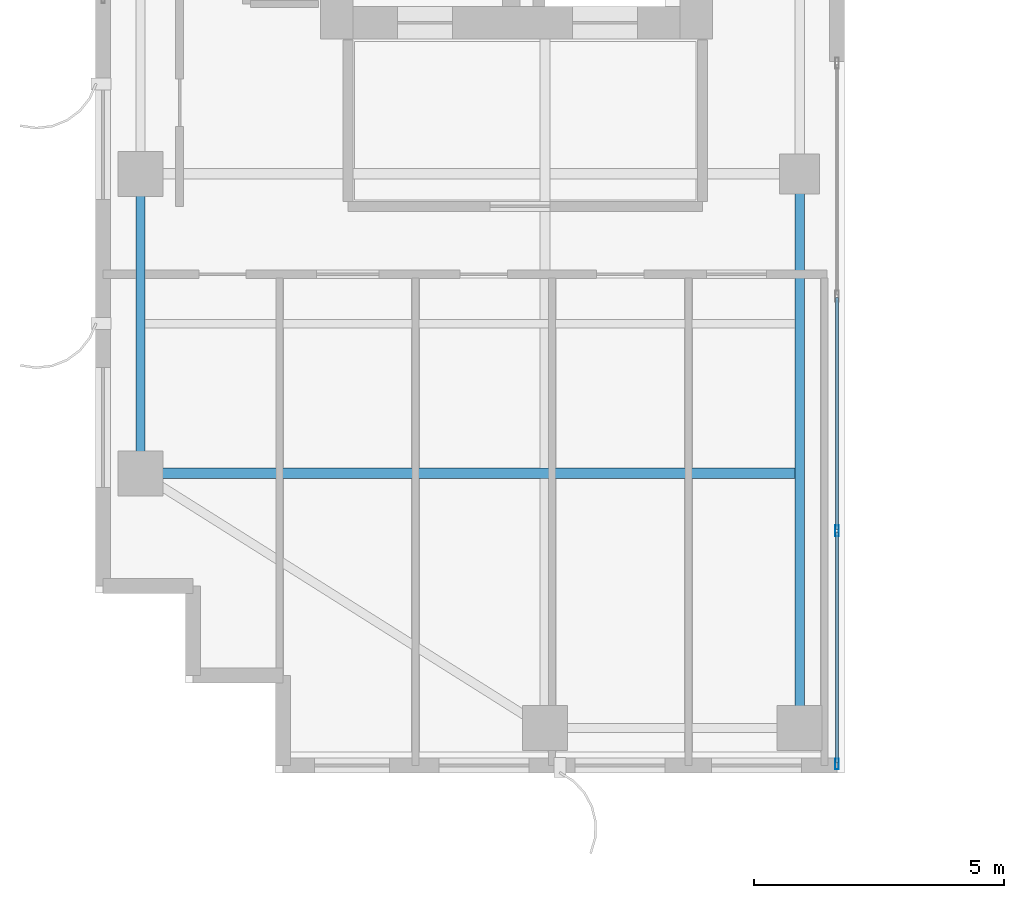
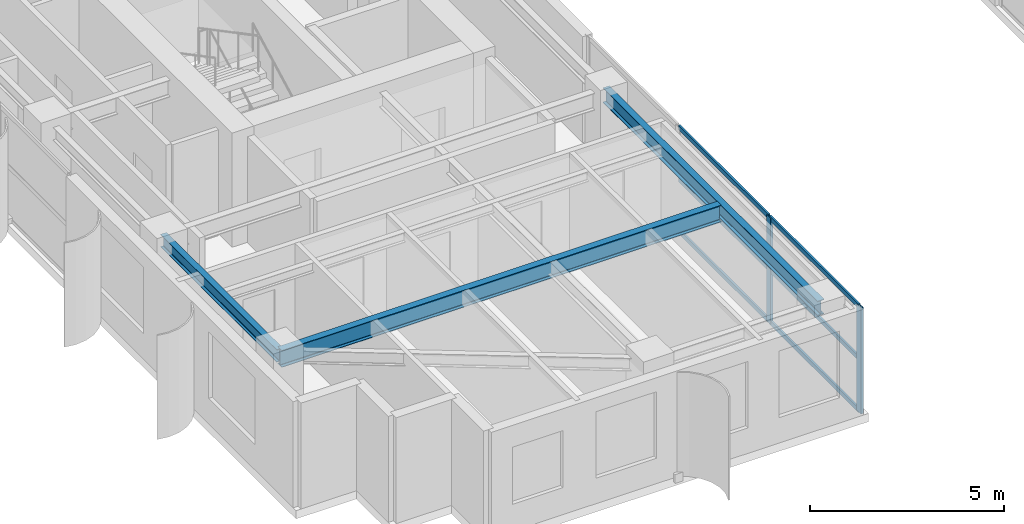
# One storey, part 2 of 22: 8 members, 3 beams, 1 element without a shape of its own.
"""IFC4 building model written with IfcOpenShell, lengths in metres."""

from ifc_helpers import new_model, si_unit, direction, frame, origin, origin_2d, place, context, subcontext, project, spatial, hollow_rectangle, i_section, extrude, source, transform, mapped, material, layer, layer_set, material_profile, profile_set, type_object, element, aggregate, save


model = new_model("IFC4")

# Units and contexts
model_context = context("Model", 3, precision=1e-05, world=origin(), true_north=direction((0.0, 1.0)))
body_context = subcontext(model_context, "Body", "Model", "MODEL_VIEW")
ifc_project = project(units=[si_unit("LENGTHUNIT", "METRE"), si_unit("AREAUNIT", "SQUARE_METRE"), si_unit("VOLUMEUNIT", "CUBIC_METRE"), si_unit("PLANEANGLEUNIT", "RADIAN"), si_unit("MASSUNIT", "GRAM", prefix="KILO")], contexts=[model_context])

# Site, building, storey
site_placement = place(None, origin())
site = spatial("IfcSite", under=ifc_project, at=site_placement, CompositionType="ELEMENT")
building_placement = place(site_placement, origin())
building = spatial("IfcBuilding", under=site, at=building_placement, Name="Khoralis Quay Care Tower", CompositionType="ELEMENT")
storey_placement = place(building_placement, frame((0.0, 0.0, 188.10009765625)))
storey = spatial("IfcBuildingStorey", under=building, at=storey_placement, Name="L49", CompositionType="ELEMENT", Elevation=188.10009765625)

# Beams
ifc_material_1 = material(Name="Steel S355", Category="steel")
ifc_material_profile_1 = material_profile(ifc_material_1, i_section(OverallWidth=0.179931640625, OverallDepth=0.39990234375, WebThickness=0.008544921875, FlangeThickness=0.013427734375, FilletRadius=0.02099609375, at=origin_2d()), Name="Steel S355")
ifc_profile_set_1 = profile_set([ifc_material_profile_1], Name="Steel S355")
beam_type_1 = type_object("IfcBeamType", Name="BM-IPE400", PredefinedType="SPANDREL", material=ifc_profile_set_1)
shared_shape_1 = source(origin(), body_context, "Body", "SweptSolid", [
    extrude(i_section(OverallWidth=0.179931640625, OverallDepth=0.39990234375, WebThickness=0.008544921875, FlangeThickness=0.013427734375, FilletRadius=0.02099609375, at=origin_2d()), origin(), (0.0, 0.0, 1.0), 6.0),
])
beam_1_placement = place(storey_placement, frame((3.89990234375, 6.0, 3.139892578125), z_axis=(0.0, 1.0, 0.0), x_axis=(-1.0, 0.0, 0.0)))
element("IfcBeam", 1, at=beam_1_placement, inside=storey, type_object=beam_type_1, Name="BM-TSP-L49-05", PredefinedType="SPANDREL", context=body_context, shape_type="MappedRepresentation", body=[
    mapped(shared_shape_1, transform((0.0, 0.0, 0.0), scale=1.0)),
])
ifc_material_profile_2 = material_profile(ifc_material_1, i_section(OverallWidth=0.208984375, OverallDepth=0.532958984375, WebThickness=0.01025390625, FlangeThickness=0.015625, FilletRadius=0.01611328125, at=origin_2d()), Name="Steel S355")
ifc_profile_set_2 = profile_set([ifc_material_profile_2], Name="Steel S355")
beam_type_2 = type_object("IfcBeamType", Name="BM-W530X92", PredefinedType="BEAM", material=ifc_profile_set_2)
shared_shape_2 = source(origin(), body_context, "Body", "SweptSolid", [
    extrude(i_section(OverallWidth=0.208984375, OverallDepth=0.532958984375, WebThickness=0.01025390625, FlangeThickness=0.015625, FilletRadius=0.01611328125, at=origin_2d()), origin(), (0.0, 0.0, 1.0), 13.1162109375),
])
beam_2_placement = place(storey_placement, frame((3.89990234375, 6.0, 3.073486328125), z_axis=(1.0, 0.0, 0.0), x_axis=(0.0, 1.0, 0.0)))
element("IfcBeam", 2, at=beam_2_placement, inside=storey, type_object=beam_type_2, Name="BM-TGXW-L49-60", PredefinedType="BEAM", context=body_context, shape_type="MappedRepresentation", body=[
    mapped(shared_shape_2, transform((0.0, 0.0, 0.0), scale=1.0)),
])
ifc_material_profile_3 = material_profile(ifc_material_1, i_section(OverallWidth=0.19189453125, OverallDepth=0.462890625, WebThickness=0.010498046875, FlangeThickness=0.017578125, FilletRadius=0.014892578125, at=origin_2d()), Name="Steel S355")
ifc_profile_set_3 = profile_set([ifc_material_profile_3], Name="Steel S355")
beam_type_3 = type_object("IfcBeamType", Name="BM-W460X89", PredefinedType="BEAM", material=ifc_profile_set_3)
shared_shape_3 = source(origin(), body_context, "Body", "SweptSolid", [
    extrude(i_section(OverallWidth=0.19189453125, OverallDepth=0.462890625, WebThickness=0.010498046875, FlangeThickness=0.017578125, FilletRadius=0.014892578125, at=origin_2d()), origin(), (0.0, 0.0, 1.0), 11.10009765625),
])
beam_3_placement = place(storey_placement, frame((17.10009765625, 0.89990234375, 3.1083984375), z_axis=(0.0, 1.0, 0.0), x_axis=(-1.0, 0.0, 0.0)))
element("IfcBeam", 3, at=beam_3_placement, inside=storey, type_object=beam_type_3, Name="BM-TGYS-L49-171", PredefinedType="BEAM", context=body_context, shape_type="MappedRepresentation", body=[
    mapped(shared_shape_3, transform((0.0, 0.0, 0.0), scale=1.0)),
])

# Curtain wall, members
ifc_material_2 = material(Name="Pale anodised aluminium", Category="aluminium")
ifc_layer = layer(ifc_material_2, 0.18994140625)
ifc_layer_set = layer_set([ifc_layer], Name="Pale anodised aluminium")
curtain_wall_type = type_object("IfcCurtainWallType", Name="CW-SYS-PORTAL", PredefinedType="NOTDEFINED", material=ifc_layer_set)
curtain_wall_placement = place(storey_placement, origin())
curtain_wall = element("IfcCurtainWall", 4, at=curtain_wall_placement, inside=storey, type_object=curtain_wall_type, Name="L49 Unitised Curtain Wall CW-VP-L49-P1-S", PredefinedType="NOTDEFINED")
ifc_material_profile_4 = material_profile(ifc_material_2, hollow_rectangle(XDim=0.06005859375, YDim=0.139892578125, WallThickness=0.00390625, at=origin_2d()), Name="Pale anodised aluminium")
ifc_profile_set_4 = profile_set([ifc_material_profile_4], Name="Pale anodised aluminium")
member_type_1 = type_object("IfcMemberType", Name="CW-TRN-140", PredefinedType="USERDEFINED", material=ifc_profile_set_4)
shared_shape_4 = source(origin(), body_context, "Body", "SweptSolid", [
    extrude(hollow_rectangle(XDim=0.06005859375, YDim=0.139892578125, WallThickness=0.00390625, at=origin_2d()), origin(), (0.0, 0.0, 1.0), 4.610107421875),
])
member_1_placement = place(storey_placement, frame((17.85009765625, 0.2099609375, 0.02978515625), z_axis=(0.0, 1.0, 0.0), x_axis=(-1.0, 0.0, 0.0)))
member_1 = element("IfcMember", 5, at=member_1_placement, type_object=member_type_1, Name="CW4 transom 1.1", ObjectType="TRANSOM", PredefinedType="USERDEFINED", context=body_context, shape_type="MappedRepresentation", body=[
    mapped(shared_shape_4, transform((0.0, 0.0, 0.0), scale=1.0)),
])
member_2_placement = place(storey_placement, frame((17.85009765625, 0.2099609375, 1.669921875), z_axis=(0.0, 1.0, 0.0), x_axis=(-1.0, 0.0, 0.0)))
member_2 = element("IfcMember", 6, at=member_2_placement, type_object=member_type_1, Name="CW4 transom 1.2", ObjectType="TRANSOM", PredefinedType="USERDEFINED", context=body_context, shape_type="MappedRepresentation", body=[
    mapped(shared_shape_4, transform((0.0, 0.0, 0.0), scale=1.0)),
])
member_3_placement = place(storey_placement, frame((17.85009765625, 0.2099609375, 3.309814453125), z_axis=(0.0, 1.0, 0.0), x_axis=(-1.0, 0.0, 0.0)))
member_3 = element("IfcMember", 7, at=member_3_placement, type_object=member_type_1, Name="CW4 transom 1.3", ObjectType="TRANSOM", PredefinedType="USERDEFINED", context=body_context, shape_type="MappedRepresentation", body=[
    mapped(shared_shape_4, transform((0.0, 0.0, 0.0), scale=1.0)),
])
shared_shape_5 = source(origin(), body_context, "Body", "SweptSolid", [
    extrude(hollow_rectangle(XDim=0.06005859375, YDim=0.139892578125, WallThickness=0.00390625, at=origin_2d()), origin(), (0.0, 0.0, 1.0), 4.64013671875),
])
member_4_placement = place(storey_placement, frame((17.85009765625, 4.8798828125, 0.02978515625), z_axis=(0.0, 1.0, 0.0), x_axis=(-1.0, 0.0, 0.0)))
member_4 = element("IfcMember", 8, at=member_4_placement, type_object=member_type_1, Name="CW4 transom 2.1", ObjectType="TRANSOM", PredefinedType="USERDEFINED", context=body_context, shape_type="MappedRepresentation", body=[
    mapped(shared_shape_5, transform((0.0, 0.0, 0.0), scale=1.0)),
])
member_5_placement = place(storey_placement, frame((17.85009765625, 4.8798828125, 1.669921875), z_axis=(0.0, 1.0, 0.0), x_axis=(-1.0, 0.0, 0.0)))
member_5 = element("IfcMember", 9, at=member_5_placement, type_object=member_type_1, Name="CW4 transom 2.2", ObjectType="TRANSOM", PredefinedType="USERDEFINED", context=body_context, shape_type="MappedRepresentation", body=[
    mapped(shared_shape_5, transform((0.0, 0.0, 0.0), scale=1.0)),
])
member_6_placement = place(storey_placement, frame((17.85009765625, 4.8798828125, 3.309814453125), z_axis=(0.0, 1.0, 0.0), x_axis=(-1.0, 0.0, 0.0)))
member_6 = element("IfcMember", 10, at=member_6_placement, type_object=member_type_1, Name="CW4 transom 2.3", ObjectType="TRANSOM", PredefinedType="USERDEFINED", context=body_context, shape_type="MappedRepresentation", body=[
    mapped(shared_shape_5, transform((0.0, 0.0, 0.0), scale=1.0)),
])
ifc_material_profile_5 = material_profile(ifc_material_2, hollow_rectangle(XDim=0.074951171875, YDim=0.219970703125, WallThickness=0.00390625, at=origin_2d()), Name="Pale anodised aluminium")
ifc_profile_set_5 = profile_set([ifc_material_profile_5], Name="Pale anodised aluminium")
member_type_2 = type_object("IfcMemberType", Name="CW-MUL-220", PredefinedType="MULLION", material=ifc_profile_set_5)
shared_shape_6 = source(origin(), body_context, "Body", "SweptSolid", [
    extrude(hollow_rectangle(XDim=0.074951171875, YDim=0.219970703125, WallThickness=0.00390625, at=origin_2d()), origin(), (0.0, 0.0, 1.0), 3.33984375),
])
member_7_placement = place(storey_placement, frame((17.85009765625, 0.179931640625, 0.0), z_axis=(0.0, 0.0, 1.0), x_axis=(-1.0, 0.0, 0.0)))
member_7 = element("IfcMember", 11, at=member_7_placement, type_object=member_type_2, Name="CW4 mullion 1", PredefinedType="MULLION", context=body_context, shape_type="MappedRepresentation", body=[
    mapped(shared_shape_6, transform((0.0, 0.0, 0.0), scale=1.0)),
])
member_8_placement = place(storey_placement, frame((17.85009765625, 4.85009765625, 0.0), z_axis=(0.0, 0.0, 1.0), x_axis=(-1.0, 0.0, 0.0)))
member_8 = element("IfcMember", 12, at=member_8_placement, type_object=member_type_2, Name="CW4 mullion 2", PredefinedType="MULLION", context=body_context, shape_type="MappedRepresentation", body=[
    mapped(shared_shape_6, transform((0.0, 0.0, 0.0), scale=1.0)),
])
aggregate(curtain_wall, [member_7, member_8, member_1, member_2, member_3, member_4, member_5, member_6])

save(model, "model.ifc")
